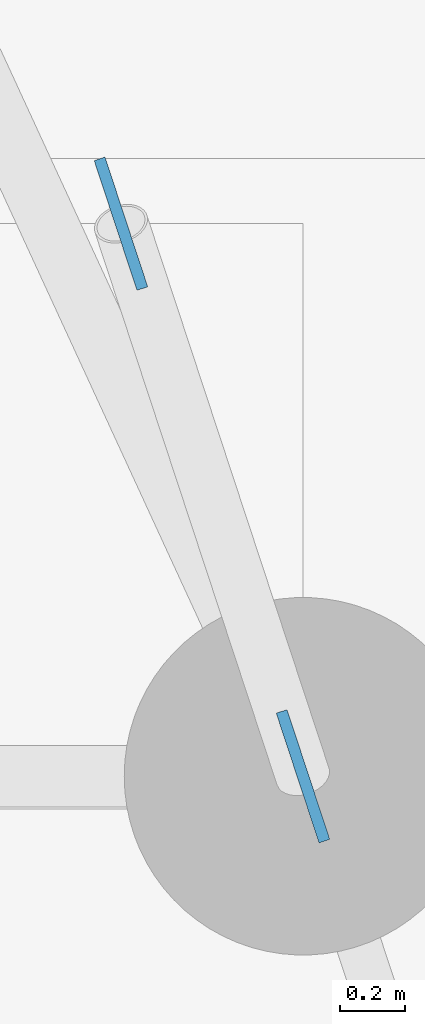
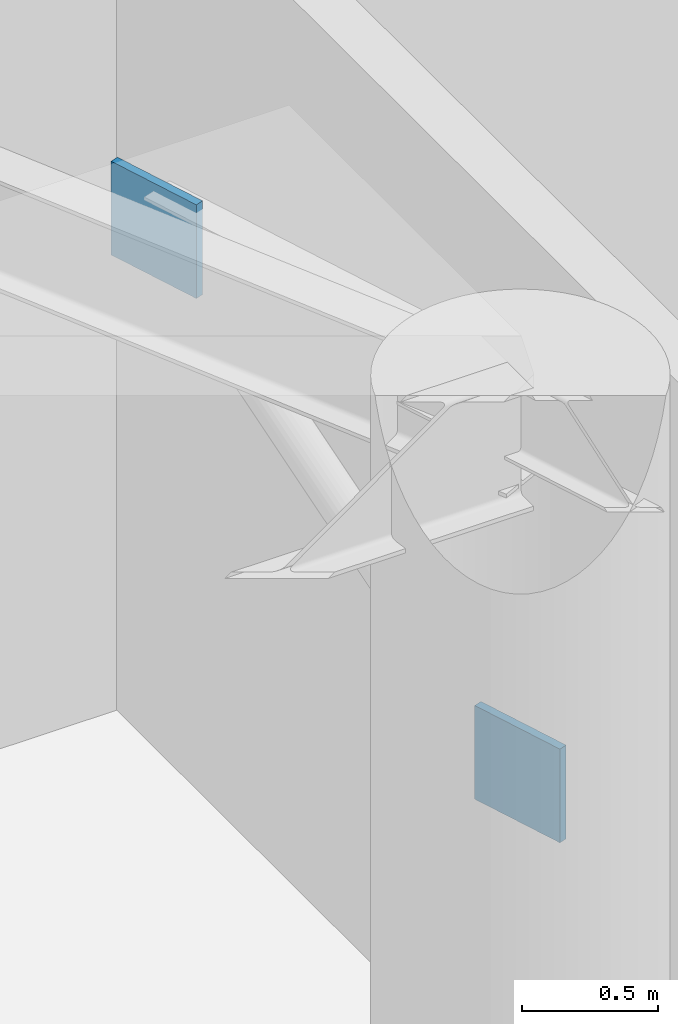
# One storey, part 15 of 31: 2 plates.
"""IFC4 building model written with IfcOpenShell, lengths in metres."""

from ifc_helpers import new_model, si_unit, direction, frame, origin, origin_2d, place, context, subcontext, project, spatial, rectangle, extrude, source, transform, mapped, material, type_object, element, save


model = new_model("IFC4")

# Units and contexts
model_context = context("Model", 3, precision=1e-05, world=origin(), true_north=direction((0.0, 1.0)))
body_context = subcontext(model_context, "Body", "Model", "MODEL_VIEW")
ifc_project = project(units=[si_unit("LENGTHUNIT", "METRE"), si_unit("AREAUNIT", "SQUARE_METRE"), si_unit("VOLUMEUNIT", "CUBIC_METRE"), si_unit("PLANEANGLEUNIT", "RADIAN"), si_unit("MASSUNIT", "GRAM", prefix="KILO")], contexts=[model_context])

# Site, building, storey
site_placement = place(None, origin())
site = spatial("IfcSite", under=ifc_project, at=site_placement, CompositionType="ELEMENT")
building_placement = place(site_placement, origin())
building = spatial("IfcBuilding", under=site, at=building_placement, Name="Sahyath Konkavel Grand Hotel", CompositionType="ELEMENT")
storey_placement = place(building_placement, origin())
storey = spatial("IfcBuildingStorey", under=building, at=storey_placement, Name="L00", CompositionType="ELEMENT", Elevation=0.0)

# Plates
ifc_material = material(Name="Steel E450", Category="steel")
plate_type = type_object("IfcPlateType", Name="GUSSET-END-35", PredefinedType="USERDEFINED", material=ifc_material)
shared_shape = source(origin(), body_context, "Body", "SweptSolid", [
    extrude(rectangle(XDim=0.419921875, YDim=0.034912109375, at=origin_2d()), origin(), (0.0, 0.0, 1.0), 0.419921875),
])
for number, where, z_axis, x_axis, name in (
    (1, (18.0, 20.5, 2.489990234375), (0.0, 0.0, 1.0), (-0.312865434255, 0.949797462646, 0.0), "Monsoon Canopy Strut Gusset Plate N-East-2-pier"),
    (2, (17.43994140625, 22.199951171875, 4.094970703125), (0.0, 0.0, 1.0), (-0.312865434255, 0.949797462646, 0.0), "Monsoon Canopy Strut Gusset Plate N-East-2-tip"),
):
    element("IfcPlate", number, at=place(storey_placement, frame(where, z_axis=z_axis, x_axis=x_axis)), inside=storey, type_object=plate_type, Name=name, ObjectType="GUSSET_PLATE", PredefinedType="USERDEFINED", context=body_context, shape_type="MappedRepresentation", body=[
        mapped(shared_shape, transform((0.0, 0.0, 0.0), scale=1.0)),
    ])

save(model, "model.ifc")
